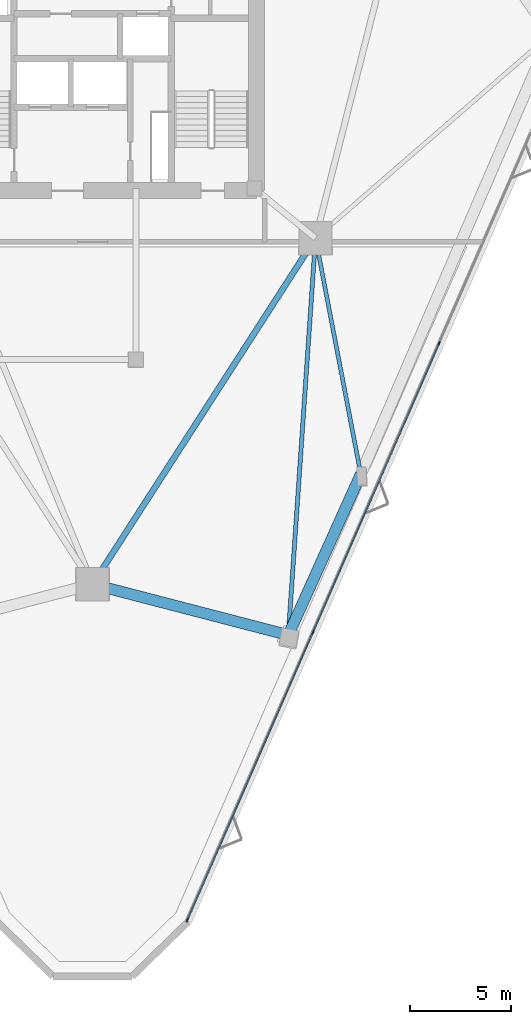
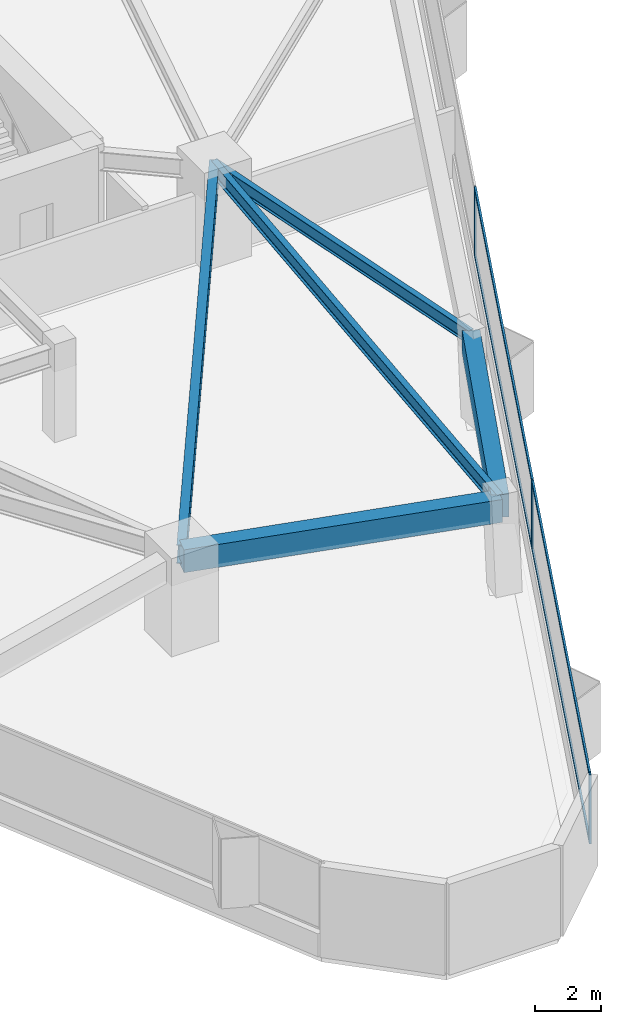
# One storey, part 3 of 15: 7 members, 5 beams, 1 element without a shape of its own.
"""IFC4 building model written with IfcOpenShell, lengths in metres."""

from ifc_helpers import new_model, si_unit, direction, frame, origin, origin_2d, place, context, subcontext, project, spatial, rectangle, i_section, extrude, material, layer, layer_set, material_profile, profile_set, type_object, element, aggregate, save


model = new_model("IFC4")

# Units and contexts
model_context = context("Model", 3, precision=1e-05, world=origin(), true_north=direction((0.0, 1.0)))
body_context = subcontext(model_context, "Body", "Model", "MODEL_VIEW")
ifc_project = project(units=[si_unit("LENGTHUNIT", "METRE"), si_unit("AREAUNIT", "SQUARE_METRE"), si_unit("VOLUMEUNIT", "CUBIC_METRE"), si_unit("PLANEANGLEUNIT", "RADIAN"), si_unit("MASSUNIT", "GRAM", prefix="KILO")], contexts=[model_context])

# Site, building, storey
site_placement = place(None, origin())
site = spatial("IfcSite", under=ifc_project, at=site_placement, CompositionType="ELEMENT")
building_placement = place(site_placement, origin())
building = spatial("IfcBuilding", under=site, at=building_placement, Name="Talyreon Biosciences Tower", CompositionType="ELEMENT")
storey_placement = place(building_placement, frame((0.0, 0.0, 111.5)))
storey = spatial("IfcBuildingStorey", under=building, at=storey_placement, Name="L29", CompositionType="ELEMENT", Elevation=111.5)

# Curtain wall, members
ifc_material_1 = material(Name="Thermally broken aluminium and low-E glazing", Category="aluminium")
ifc_layer = layer(ifc_material_1, 0.18994140625)
ifc_layer_set = layer_set([ifc_layer], Name="Thermally broken aluminium and low-E glazing")
curtain_wall_type = type_object("IfcCurtainWallType", Name="CurtainWall_Zone2Genomics", PredefinedType="NOTDEFINED", material=ifc_layer_set)
curtain_wall_placement = place(storey_placement, origin())
curtain_wall = element("IfcCurtainWall", 1, at=curtain_wall_placement, inside=storey, type_object=curtain_wall_type, Name="L29 Unitised Curtain Wall FCW-L29-08", PredefinedType="NOTDEFINED")
ifc_material_2 = material(Name="Anodised thermally broken aluminium", Category="aluminium")
ifc_material_profile_1 = material_profile(ifc_material_2, rectangle(XDim=0.06494140625, YDim=0.179931640625, at=origin_2d()), Name="ALUM MULLION 65x180")
ifc_profile_set_1 = profile_set([ifc_material_profile_1], Name="Anodised thermally broken aluminium")
member_type_1 = type_object("IfcMemberType", Name="CWMullion_65x180", PredefinedType="MULLION", material=ifc_profile_set_1)
member_1_placement = place(storey_placement, frame((83.236328125, 53.6474609375, 0.81005859375), z_axis=(0.0, 0.0, 1.0), x_axis=(0.916416470178, -0.400226002637, 0.0)))
member_1 = element("IfcMember", 2, at=member_1_placement, type_object=member_type_1, Name="CW3 mullion 3", PredefinedType="MULLION", context=body_context, shape_type="SweptSolid", body=[
    extrude(rectangle(XDim=0.06494140625, YDim=0.179931640625, at=origin_2d()), origin(), (0.0, 0.0, 1.0), 2.56494140625),
])
member_2_placement = place(storey_placement, frame((76.964111328125, 39.2861328125, 0.81005859375), z_axis=(0.0, 0.0, 1.0), x_axis=(0.916416470178, -0.400226002637, 0.0)))
member_2 = element("IfcMember", 3, at=member_2_placement, type_object=member_type_1, Name="CW3 mullion 4", PredefinedType="MULLION", context=body_context, shape_type="SweptSolid", body=[
    extrude(rectangle(XDim=0.06494140625, YDim=0.179931640625, at=origin_2d()), origin(), (0.0, 0.0, 1.0), 2.56494140625),
])
member_3_placement = place(storey_placement, frame((70.705078125, 24.954345703125, 0.81005859375), z_axis=(0.0, 0.0, 1.0), x_axis=(0.916416470178, -0.400226002637, 0.0)))
member_3 = element("IfcMember", 4, at=member_3_placement, type_object=member_type_1, Name="CW3 mullion 5", PredefinedType="MULLION", context=body_context, shape_type="SweptSolid", body=[
    extrude(rectangle(XDim=0.06494140625, YDim=0.179931640625, at=origin_2d()), origin(), (0.0, 0.0, 1.0), 2.56494140625),
])
ifc_material_profile_2 = material_profile(ifc_material_2, rectangle(XDim=0.06494140625, YDim=0.139892578125, at=origin_2d()), Name="ALUM TRANSOM 65x140")
ifc_profile_set_2 = profile_set([ifc_material_profile_2], Name="Anodised thermally broken aluminium")
member_type_2 = type_object("IfcMemberType", Name="CWTransom_65x140", PredefinedType="USERDEFINED", material=ifc_profile_set_2)
member_4_placement = place(storey_placement, frame((83.223388671875, 53.61767578125, 0.842529296875), z_axis=(-0.40023115993, -0.916414217819, 0.0), x_axis=(0.916414217819, -0.40023115993, 0.0)))
member_4 = element("IfcMember", 5, at=member_4_placement, type_object=member_type_2, Name="CW3 transom 3.1", ObjectType="TRANSOM", PredefinedType="USERDEFINED", context=body_context, shape_type="SweptSolid", body=[
    extrude(rectangle(XDim=0.06494140625, YDim=0.139892578125, at=origin_2d()), origin(), (0.0, 0.0, 1.0), 15.606201171875),
])
member_5_placement = place(storey_placement, frame((83.223388671875, 53.61767578125, 3.342529296875), z_axis=(-0.40023115993, -0.916414217819, 0.0), x_axis=(0.916414217819, -0.40023115993, 0.0)))
member_5 = element("IfcMember", 6, at=member_5_placement, type_object=member_type_2, Name="CW3 transom 3.2", ObjectType="TRANSOM", PredefinedType="USERDEFINED", context=body_context, shape_type="SweptSolid", body=[
    extrude(rectangle(XDim=0.06494140625, YDim=0.139892578125, at=origin_2d()), origin(), (0.0, 0.0, 1.0), 15.606201171875),
])
member_6_placement = place(storey_placement, frame((76.951171875, 39.25634765625, 0.842529296875), z_axis=(-0.400229120213, -0.916415108634, 0.0), x_axis=(0.916415108634, -0.400229120213, 0.0)))
member_6 = element("IfcMember", 7, at=member_6_placement, type_object=member_type_2, Name="CW3 transom 4.1", ObjectType="TRANSOM", PredefinedType="USERDEFINED", context=body_context, shape_type="SweptSolid", body=[
    extrude(rectangle(XDim=0.06494140625, YDim=0.139892578125, at=origin_2d()), origin(), (0.0, 0.0, 1.0), 15.573974609375),
])
member_7_placement = place(storey_placement, frame((76.951171875, 39.25634765625, 3.342529296875), z_axis=(-0.400229120213, -0.916415108634, 0.0), x_axis=(0.916415108634, -0.400229120213, 0.0)))
member_7 = element("IfcMember", 8, at=member_7_placement, type_object=member_type_2, Name="CW3 transom 4.2", ObjectType="TRANSOM", PredefinedType="USERDEFINED", context=body_context, shape_type="SweptSolid", body=[
    extrude(rectangle(XDim=0.06494140625, YDim=0.139892578125, at=origin_2d()), origin(), (0.0, 0.0, 1.0), 15.573974609375),
])
aggregate(curtain_wall, [member_1, member_2, member_3, member_4, member_5, member_6, member_7])

# Beams
ifc_material_3 = material(Name="Precast concrete C45/55", Category="concrete")
ifc_material_profile_3 = material_profile(ifc_material_3, rectangle(XDim=0.550048828125, YDim=0.85009765625, at=origin_2d()), Name="RCB 550x850")
ifc_profile_set_3 = profile_set([ifc_material_profile_3], Name="Precast concrete C45/55")
beam_type_1 = type_object("IfcBeamType", Name="ExpressedSpandrel_550x850", PredefinedType="SPANDREL", material=ifc_profile_set_3)
beam_1_placement = place(storey_placement, frame((66.0, 41.6669921875, 2.949951171875), z_axis=(0.967904645429, -0.251317721932, 0.0), x_axis=(0.251317721932, 0.967904645429, 0.0)))
element("IfcBeam", 9, at=beam_1_placement, inside=storey, type_object=beam_type_1, Name="L29 Expressed Horizontal Concrete Spandrel 01", PredefinedType="SPANDREL", context=body_context, shape_type="SweptSolid", body=[
    extrude(rectangle(XDim=0.550048828125, YDim=0.85009765625, at=origin_2d()), origin(), (0.0, 0.0, 1.0), 10.055419921875),
])
beam_2_placement = place(storey_placement, frame((75.732666015625, 39.139892578125, 2.949951171875), z_axis=(0.410663066923, 0.911787171145, 0.0), x_axis=(-0.911787171145, 0.410663066923, 0.0)))
element("IfcBeam", 10, at=beam_2_placement, inside=storey, type_object=beam_type_1, Name="L29 Expressed Horizontal Concrete Spandrel 02", PredefinedType="SPANDREL", context=body_context, shape_type="SweptSolid", body=[
    extrude(rectangle(XDim=0.550048828125, YDim=0.85009765625, at=origin_2d()), origin(), (0.0, 0.0, 1.0), 8.776611328125),
])
ifc_material_4 = material(Name="Steel SM355", Category="steel")
ifc_material_profile_4 = material_profile(ifc_material_4, i_section(OverallWidth=0.300048828125, OverallDepth=0.699951171875, WebThickness=0.01708984375, FlangeThickness=0.031982421875, FilletRadius=0.027099609375, at=origin_2d()), Name="HE700B")
ifc_profile_set_4 = profile_set([ifc_material_profile_4], Name="Steel SM355")
beam_type_2 = type_object("IfcBeamType", Name="SteelGirder_HE700B", PredefinedType="BEAM", material=ifc_profile_set_4)
beam_3_placement = place(storey_placement, frame((66.0, 41.6669921875, 3.02490234375), z_axis=(0.541463723609, 0.840724114092, 0.0), x_axis=(-0.840724114092, 0.541463723609, 0.0)))
element("IfcBeam", 11, at=beam_3_placement, inside=storey, type_object=beam_type_2, Name="L29 Mega-Ring Girder 1", PredefinedType="BEAM", context=body_context, shape_type="SweptSolid", body=[
    extrude(i_section(OverallWidth=0.300048828125, OverallDepth=0.699951171875, WebThickness=0.01708984375, FlangeThickness=0.031982421875, FilletRadius=0.027099609375, at=origin_2d()), origin(), (0.0, 0.0, 1.0), 20.474365234375),
])
ifc_material_profile_5 = material_profile(ifc_material_4, i_section(OverallWidth=0.199951171875, OverallDepth=0.5, WebThickness=0.01025390625, FlangeThickness=0.01611328125, FilletRadius=0.02099609375, at=origin_2d()), Name="IPE500")
ifc_profile_set_5 = profile_set([ifc_material_profile_5], Name="Steel SM355")
beam_type_3 = type_object("IfcBeamType", Name="SteelJoist_IPE500", PredefinedType="JOIST", material=ifc_profile_set_5)
beam_4_placement = place(storey_placement, frame((77.086181640625, 58.88037109375, 3.125), z_axis=(0.188316264731, -0.982108438227, 0.0), x_axis=(0.982108438227, 0.188316264731, 0.0)))
element("IfcBeam", 12, at=beam_4_placement, inside=storey, type_object=beam_type_3, Name="L29 Radial Composite Floor Joist PL-SE", PredefinedType="JOIST", context=body_context, shape_type="SweptSolid", body=[
    extrude(i_section(OverallWidth=0.199951171875, OverallDepth=0.5, WebThickness=0.01025390625, FlangeThickness=0.01611328125, FilletRadius=0.02099609375, at=origin_2d()), origin(), (0.0, 0.0, 1.0), 11.951904296875),
])
ifc_material_profile_6 = material_profile(ifc_material_4, i_section(OverallWidth=0.2099609375, OverallDepth=0.550048828125, WebThickness=0.010986328125, FlangeThickness=0.01708984375, FilletRadius=0.02392578125, at=origin_2d()), Name="IPE550")
ifc_profile_set_6 = profile_set([ifc_material_profile_6], Name="Steel SM355")
beam_type_4 = type_object("IfcBeamType", Name="SteelJoist_IPE550", PredefinedType="JOIST", material=ifc_profile_set_6)
beam_5_placement = place(storey_placement, frame((77.086181640625, 58.88037109375, 3.10009765625), z_axis=(-0.068404887262, -0.99765764238, 0.0), x_axis=(0.99765764238, -0.068404887262, 0.0)))
element("IfcBeam", 13, at=beam_5_placement, inside=storey, type_object=beam_type_4, Name="L29 Radial Composite Floor Joist PC-SE1", PredefinedType="JOIST", context=body_context, shape_type="SweptSolid", body=[
    extrude(i_section(OverallWidth=0.2099609375, OverallDepth=0.550048828125, WebThickness=0.010986328125, FlangeThickness=0.01708984375, FilletRadius=0.02392578125, at=origin_2d()), origin(), (0.0, 0.0, 1.0), 19.786865234375),
])

save(model, "model.ifc")
